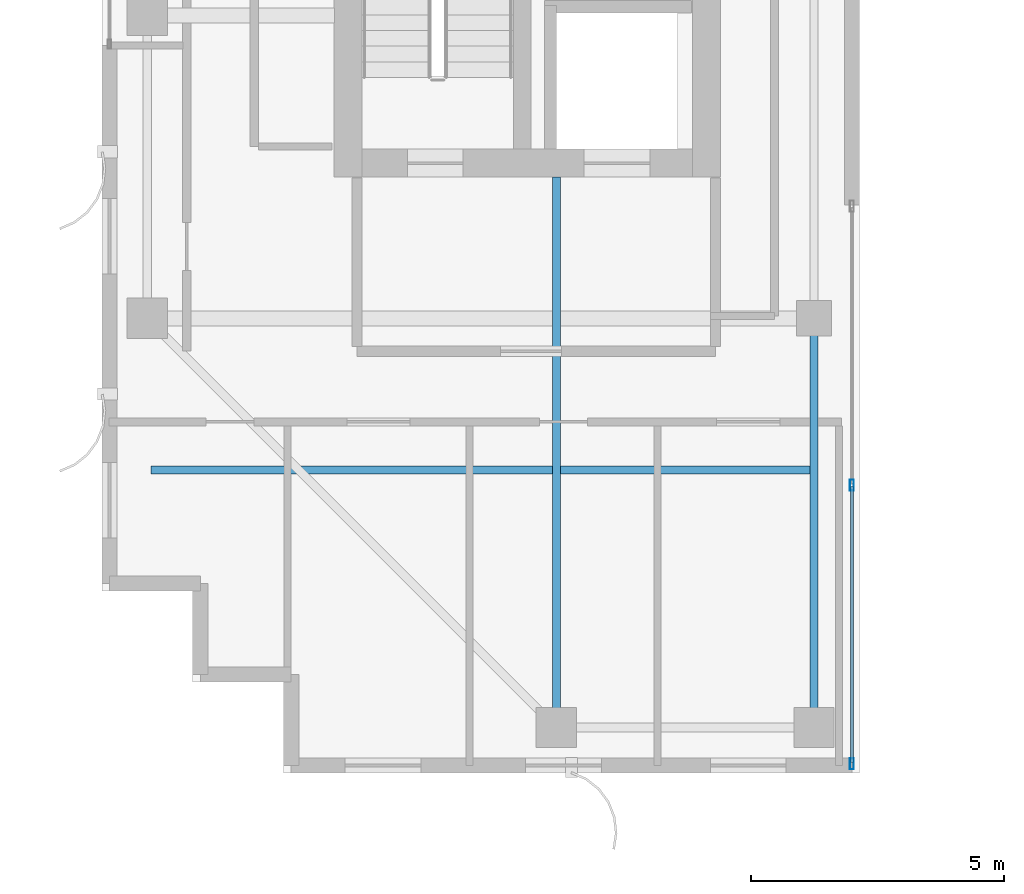
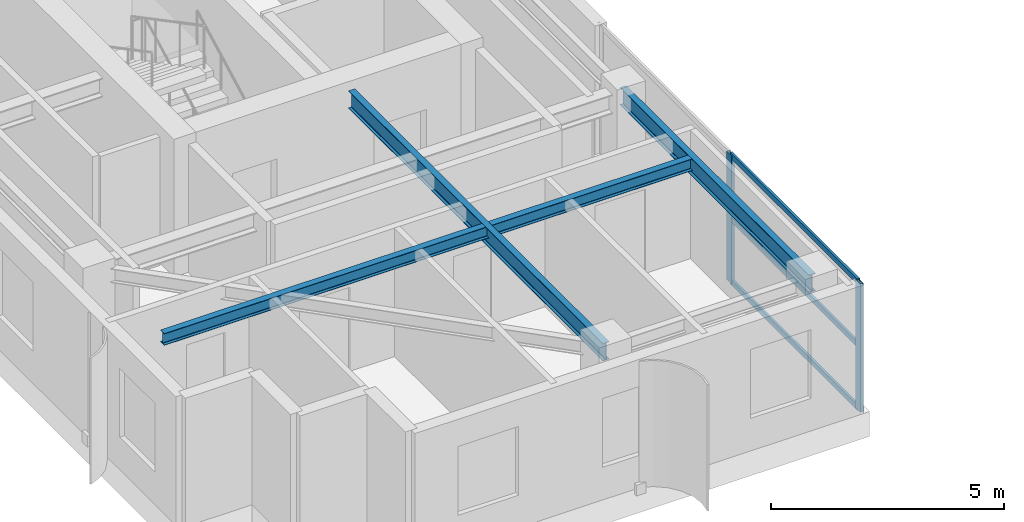
# One storey, part 2 of 24: 5 members, 3 beams, 1 element without a shape of its own.
"""IFC4 building model written with IfcOpenShell, lengths in metres."""

from ifc_helpers import new_model, si_unit, direction, frame, origin, origin_2d, place, context, subcontext, project, spatial, hollow_rectangle, i_section, extrude, source, transform, mapped, material, layer, layer_set, material_profile, profile_set, type_object, element, aggregate, save


model = new_model("IFC4")

# Units and contexts
model_context = context("Model", 3, precision=1e-05, world=origin(), true_north=direction((0.0, 1.0)))
body_context = subcontext(model_context, "Body", "Model", "MODEL_VIEW")
ifc_project = project(units=[si_unit("LENGTHUNIT", "METRE"), si_unit("AREAUNIT", "SQUARE_METRE"), si_unit("VOLUMEUNIT", "CUBIC_METRE"), si_unit("PLANEANGLEUNIT", "RADIAN"), si_unit("MASSUNIT", "GRAM", prefix="KILO")], contexts=[model_context])

# Site, building, storey
site_placement = place(None, origin())
site = spatial("IfcSite", under=ifc_project, at=site_placement, CompositionType="ELEMENT")
building_placement = place(site_placement, origin())
building = spatial("IfcBuilding", under=site, at=building_placement, Name="Khoralis Quay Care Tower", CompositionType="ELEMENT")
storey_placement = place(building_placement, frame((0.0, 0.0, 227.699951171875)))
storey = spatial("IfcBuildingStorey", under=building, at=storey_placement, Name="L59", CompositionType="ELEMENT", Elevation=227.699951171875)

# Beams
ifc_material_1 = material(Name="Steel S355", Category="steel")
ifc_material_profile_1 = material_profile(ifc_material_1, i_section(OverallWidth=0.1650390625, OverallDepth=0.31005859375, WebThickness=0.005859375, FlangeThickness=0.009765625, FilletRadius=0.011962890625, at=origin_2d()), Name="Steel S355")
ifc_profile_set_1 = profile_set([ifc_material_profile_1], Name="Steel S355")
beam_type_1 = type_object("IfcBeamType", Name="BM-W310X39", PredefinedType="JOIST", material=ifc_profile_set_1)
shared_shape_1 = source(origin(), body_context, "Body", "SweptSolid", [
    extrude(i_section(OverallWidth=0.1650390625, OverallDepth=0.31005859375, WebThickness=0.005859375, FlangeThickness=0.009765625, FilletRadius=0.011962890625, at=origin_2d()), origin(), (0.0, 0.0, 1.0), 13.06396484375),
])
beam_1_placement = place(storey_placement, frame((3.970947265625, 9.0, 3.205078125), z_axis=(1.0, 0.0, 0.0), x_axis=(0.0, 1.0, 0.0)))
element("IfcBeam", 1, at=beam_1_placement, inside=storey, type_object=beam_type_1, Name="BM-TJS-L59-17", PredefinedType="JOIST", context=body_context, shape_type="MappedRepresentation", body=[
    mapped(shared_shape_1, transform((0.0, 0.0, 0.0), scale=1.0)),
])
ifc_material_profile_2 = material_profile(ifc_material_1, i_section(OverallWidth=0.154052734375, OverallDepth=0.458984375, WebThickness=0.009033203125, FlangeThickness=0.015380859375, FilletRadius=0.014892578125, at=origin_2d()), Name="Steel S355")
ifc_profile_set_2 = profile_set([ifc_material_profile_2], Name="Steel S355")
beam_type_2 = type_object("IfcBeamType", Name="BM-W460X68", PredefinedType="BEAM", material=ifc_profile_set_2)
shared_shape_2 = source(origin(), body_context, "Body", "SweptSolid", [
    extrude(i_section(OverallWidth=0.154052734375, OverallDepth=0.458984375, WebThickness=0.009033203125, FlangeThickness=0.015380859375, FilletRadius=0.014892578125, at=origin_2d()), origin(), (0.0, 0.0, 1.0), 10.902099609375),
])
beam_2_placement = place(storey_placement, frame((12.0, 3.89990234375, 3.130615234375), z_axis=(0.0, 1.0, 0.0), x_axis=(-1.0, 0.0, 0.0)))
element("IfcBeam", 2, at=beam_2_placement, inside=storey, type_object=beam_type_2, Name="BM-TGYS-L59-120", PredefinedType="BEAM", context=body_context, shape_type="MappedRepresentation", body=[
    mapped(shared_shape_2, transform((0.0, 0.0, 0.0), scale=1.0)),
])
shared_shape_3 = source(origin(), body_context, "Body", "SweptSolid", [
    extrude(i_section(OverallWidth=0.154052734375, OverallDepth=0.458984375, WebThickness=0.009033203125, FlangeThickness=0.015380859375, FilletRadius=0.014892578125, at=origin_2d()), origin(), (0.0, 0.0, 1.0), 8.10009765625),
])
beam_3_placement = place(storey_placement, frame((17.10009765625, 3.89990234375, 3.130615234375), z_axis=(0.0, 1.0, 0.0), x_axis=(-1.0, 0.0, 0.0)))
element("IfcBeam", 3, at=beam_3_placement, inside=storey, type_object=beam_type_2, Name="BM-TGYS-L59-171", PredefinedType="BEAM", context=body_context, shape_type="MappedRepresentation", body=[
    mapped(shared_shape_3, transform((0.0, 0.0, 0.0), scale=1.0)),
])

# Curtain wall, members
ifc_material_2 = material(Name="Pale anodised aluminium", Category="aluminium")
ifc_layer = layer(ifc_material_2, 0.18994140625)
ifc_layer_set = layer_set([ifc_layer], Name="Pale anodised aluminium")
curtain_wall_type = type_object("IfcCurtainWallType", Name="CW-SYS-PORTAL", PredefinedType="NOTDEFINED", material=ifc_layer_set)
curtain_wall_placement = place(storey_placement, origin())
curtain_wall = element("IfcCurtainWall", 4, at=curtain_wall_placement, inside=storey, type_object=curtain_wall_type, Name="L59 Unitised Curtain Wall CW-VP-L59-P1-S", PredefinedType="NOTDEFINED")
ifc_material_profile_3 = material_profile(ifc_material_2, hollow_rectangle(XDim=0.074951171875, YDim=0.219970703125, WallThickness=0.00390625, at=origin_2d()), Name="Pale anodised aluminium")
ifc_profile_set_3 = profile_set([ifc_material_profile_3], Name="Pale anodised aluminium")
member_type_1 = type_object("IfcMemberType", Name="CW-MUL-220", PredefinedType="MULLION", material=ifc_profile_set_3)
shared_shape_4 = source(origin(), body_context, "Body", "SweptSolid", [
    extrude(hollow_rectangle(XDim=0.074951171875, YDim=0.219970703125, WallThickness=0.00390625, at=origin_2d()), origin(), (0.0, 0.0, 1.0), 3.360107421875),
])
member_1_placement = place(storey_placement, frame((17.85009765625, 3.179931640625, 0.0), z_axis=(0.0, 0.0, 1.0), x_axis=(-1.0, 0.0, 0.0)))
member_1 = element("IfcMember", 5, at=member_1_placement, type_object=member_type_1, Name="CW4 mullion 1", PredefinedType="MULLION", context=body_context, shape_type="MappedRepresentation", body=[
    mapped(shared_shape_4, transform((0.0, 0.0, 0.0), scale=1.0)),
])
member_2_placement = place(storey_placement, frame((17.85009765625, 8.699951171875, 0.0), z_axis=(0.0, 0.0, 1.0), x_axis=(-1.0, 0.0, 0.0)))
member_2 = element("IfcMember", 6, at=member_2_placement, type_object=member_type_1, Name="CW4 mullion 2", PredefinedType="MULLION", context=body_context, shape_type="MappedRepresentation", body=[
    mapped(shared_shape_4, transform((0.0, 0.0, 0.0), scale=1.0)),
])
ifc_material_profile_4 = material_profile(ifc_material_2, hollow_rectangle(XDim=0.06005859375, YDim=0.139892578125, WallThickness=0.00390625, at=origin_2d()), Name="Pale anodised aluminium")
ifc_profile_set_4 = profile_set([ifc_material_profile_4], Name="Pale anodised aluminium")
member_type_2 = type_object("IfcMemberType", Name="CW-TRN-140", PredefinedType="USERDEFINED", material=ifc_profile_set_4)
shared_shape_5 = source(origin(), body_context, "Body", "SweptSolid", [
    extrude(hollow_rectangle(XDim=0.06005859375, YDim=0.139892578125, WallThickness=0.00390625, at=origin_2d()), origin(), (0.0, 0.0, 1.0), 5.4599609375),
])
member_3_placement = place(storey_placement, frame((17.85009765625, 3.2099609375, 0.030029296875), z_axis=(0.0, 1.0, 0.0), x_axis=(-1.0, 0.0, 0.0)))
member_3 = element("IfcMember", 7, at=member_3_placement, type_object=member_type_2, Name="CW4 transom 1.1", ObjectType="TRANSOM", PredefinedType="USERDEFINED", context=body_context, shape_type="MappedRepresentation", body=[
    mapped(shared_shape_5, transform((0.0, 0.0, 0.0), scale=1.0)),
])
member_4_placement = place(storey_placement, frame((17.85009765625, 3.2099609375, 1.679931640625), z_axis=(0.0, 1.0, 0.0), x_axis=(-1.0, 0.0, 0.0)))
member_4 = element("IfcMember", 8, at=member_4_placement, type_object=member_type_2, Name="CW4 transom 1.2", ObjectType="TRANSOM", PredefinedType="USERDEFINED", context=body_context, shape_type="MappedRepresentation", body=[
    mapped(shared_shape_5, transform((0.0, 0.0, 0.0), scale=1.0)),
])
member_5_placement = place(storey_placement, frame((17.85009765625, 3.2099609375, 3.330078125), z_axis=(0.0, 1.0, 0.0), x_axis=(-1.0, 0.0, 0.0)))
member_5 = element("IfcMember", 9, at=member_5_placement, type_object=member_type_2, Name="CW4 transom 1.3", ObjectType="TRANSOM", PredefinedType="USERDEFINED", context=body_context, shape_type="MappedRepresentation", body=[
    mapped(shared_shape_5, transform((0.0, 0.0, 0.0), scale=1.0)),
])
aggregate(curtain_wall, [member_1, member_2, member_3, member_4, member_5])

save(model, "model.ifc")
